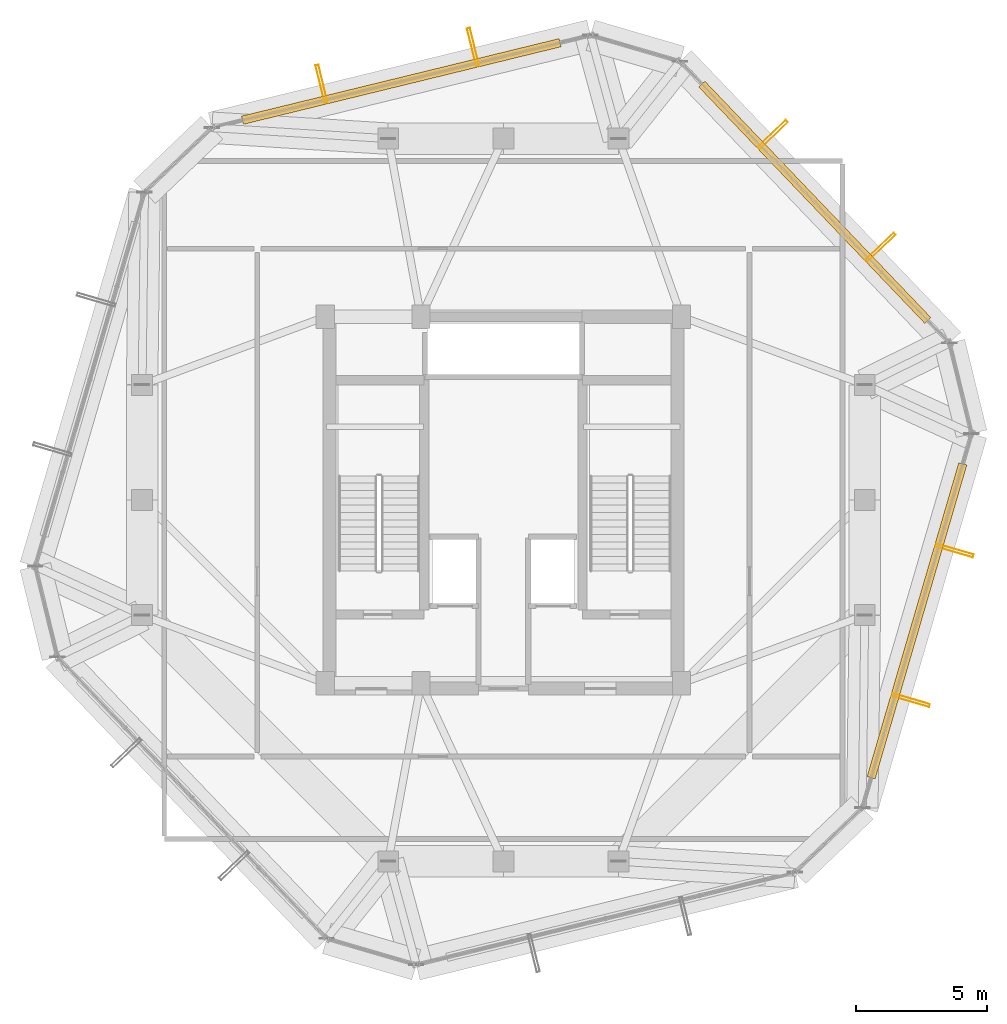
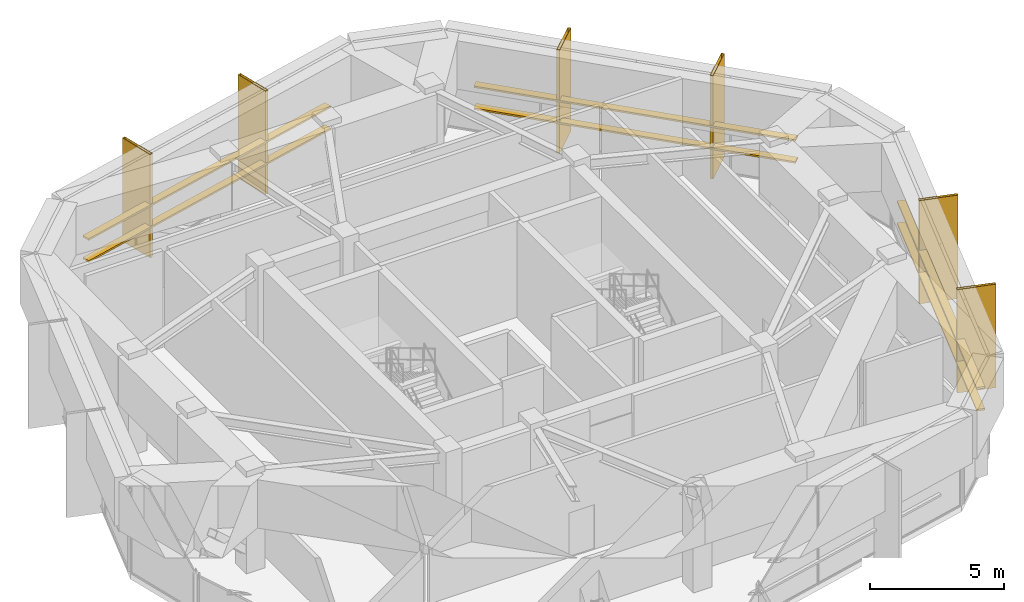
# One storey, part 39 of 39: 12 shading devices.
"""IFC4 building model written with IfcOpenShell, lengths in metres."""

from ifc_helpers import new_model, si_unit, direction, frame, origin, origin_2d, place, context, subcontext, project, spatial, hollow_rectangle, extrude, material, material_profile, profile_set, type_object, element, save


model = new_model("IFC4")

# Units and contexts
model_context = context("Model", 3, precision=1e-05, world=origin(), true_north=direction((0.0, 1.0)))
body_context = subcontext(model_context, "Body", "Model", "MODEL_VIEW")
ifc_project = project(units=[si_unit("LENGTHUNIT", "METRE"), si_unit("AREAUNIT", "SQUARE_METRE"), si_unit("VOLUMEUNIT", "CUBIC_METRE"), si_unit("PLANEANGLEUNIT", "RADIAN"), si_unit("MASSUNIT", "GRAM", prefix="KILO")], contexts=[model_context])

# Site, building, storey
site_placement = place(None, origin())
site = spatial("IfcSite", under=ifc_project, at=site_placement, CompositionType="ELEMENT")
building_placement = place(site_placement, origin())
building = spatial("IfcBuilding", under=site, at=building_placement, Name="Veraguas Prism Commons", CompositionType="ELEMENT")
storey_placement = place(building_placement, frame((0.0, 0.0, 264.25)))
storey = spatial("IfcBuildingStorey", under=building, at=storey_placement, Name="L75", CompositionType="ELEMENT", Elevation=264.25)

# Shading devices
ifc_material = material(Name="Anodised aluminium EN AW-6063 T6", Category="aluminium")
ifc_material_profile_1 = material_profile(ifc_material, hollow_rectangle(XDim=0.1201171875, YDim=1.489990234375, WallThickness=0.006103515625, at=origin_2d()), Name="FIN120X1490X6")
ifc_profile_set_1 = profile_set([ifc_material_profile_1], Name="Anodised aluminium EN AW-6063 T6")
shading_device_type_1 = type_object("IfcShadingDeviceType", Name="Deep Pale-Metal Vertical Solar Fin 120x1490", PredefinedType="USERDEFINED", material=ifc_profile_set_1)
for number, where, z_axis, x_axis, name in (
    (1, (38.401611328125, 33.652587890625, -0.300048828125), (0.0, 0.0, 1.0), (-0.691133470727, 0.722727144669, 0.0), "Vertical Pale-Metal Solar Fin L75-F1A"),
    (2, (34.2861328125, 37.9560546875, -0.300048828125), (0.0, 0.0, 1.0), (-0.691133470727, 0.722727144669, 0.0), "Vertical Pale-Metal Solar Fin L75-F1B"),
    (3, (22.841552734375, 41.29833984375, -0.300048828125), (0.0, 0.0, 1.0), (-0.9714663887, -0.23717726625, 0.0), "Vertical Pale-Metal Solar Fin L75-F2A"),
    (4, (17.056884765625, 39.885986328125, -0.300048828125), (0.0, 0.0, 1.0), (-0.9714663887, -0.23717726625, 0.0), "Vertical Pale-Metal Solar Fin L75-F2B"),
    (5, (39.56005859375, 16.35400390625, -0.300048828125), (0.0, 0.0, 1.0), (0.280336682616, 0.959901736836, 0.0), "Vertical Pale-Metal Solar Fin L75-F6A"),
    (6, (41.229248046875, 22.06982421875, -0.300048828125), (0.0, 0.0, 1.0), (0.280336682616, 0.959901736836, 0.0), "Vertical Pale-Metal Solar Fin L75-F6B"),
):
    element("IfcShadingDevice", number, at=place(storey_placement, frame(where, z_axis=z_axis, x_axis=x_axis)), inside=storey, type_object=shading_device_type_1, Name=name, ObjectType="FIN", PredefinedType="USERDEFINED", context=body_context, shape_type="SweptSolid", body=[
        extrude(hollow_rectangle(XDim=0.1201171875, YDim=1.489990234375, WallThickness=0.006103515625, at=origin_2d()), origin(), (0.0, 0.0, 1.0), 4.7099609375),
    ])
ifc_material_profile_2 = material_profile(ifc_material, hollow_rectangle(XDim=0.080078125, YDim=0.320068359375, WallThickness=0.00390625, at=origin_2d()), Name="LVR80X320X4")
ifc_profile_set_2 = profile_set([ifc_material_profile_2], Name="Anodised aluminium EN AW-6063 T6")
shading_device_type_2 = type_object("IfcShadingDeviceType", Name="Plant Room Acoustic Weather Louvre 80x320", PredefinedType="JALOUSIE", material=ifc_profile_set_2)
for number, where, z_axis, x_axis, name in (
    (7, (40.206787109375, 30.860107421875, 1.10009765625), (-0.691121865751, 0.72273824216, 0.0), (0.0, 0.0, 1.0), "Plant Acoustic Weather Louvre L75-F1A"),
    (8, (40.206787109375, 30.860107421875, 2.10009765625), (-0.691121865751, 0.72273824216, 0.0), (0.0, 0.0, 1.0), "Plant Acoustic Weather Louvre L75-F1B"),
    (9, (26.162353515625, 41.4658203125, 1.10009765625), (-0.971462013232, -0.237195187234, 0.0), (0.0, 0.0, 1.0), "Plant Acoustic Weather Louvre L75-F2A"),
    (10, (26.162353515625, 41.4658203125, 2.10009765625), (-0.971462013232, -0.237195187234, 0.0), (0.0, 0.0, 1.0), "Plant Acoustic Weather Louvre L75-F2B"),
):
    element("IfcShadingDevice", number, at=place(storey_placement, frame(where, z_axis=z_axis, x_axis=x_axis)), inside=storey, type_object=shading_device_type_2, Name=name, PredefinedType="JALOUSIE", context=body_context, shape_type="SweptSolid", body=[
        extrude(hollow_rectangle(XDim=0.080078125, YDim=0.320068359375, WallThickness=0.00390625, at=origin_2d()), origin(), (0.0, 0.0, 1.0), 12.486328125),
    ])
for number, where, z_axis, x_axis, name in (
    (11, (38.04443359375, 13.394287109375, 1.10009765625), (0.280340849293, 0.959900519959, 0.0), (0.0, 0.0, 1.0), "Plant Acoustic Weather Louvre L75-F6A"),
    (12, (38.04443359375, 13.394287109375, 2.10009765625), (0.280340849293, 0.959900519959, 0.0), (0.0, 0.0, 1.0), "Plant Acoustic Weather Louvre L75-F6B"),
):
    element("IfcShadingDevice", number, at=place(storey_placement, frame(where, z_axis=z_axis, x_axis=x_axis)), inside=storey, type_object=shading_device_type_2, Name=name, PredefinedType="JALOUSIE", context=body_context, shape_type="SweptSolid", body=[
        extrude(hollow_rectangle(XDim=0.080078125, YDim=0.320068359375, WallThickness=0.00390625, at=origin_2d()), origin(), (0.0, 0.0, 1.0), 12.486572265625),
    ])

save(model, "model.ifc")
